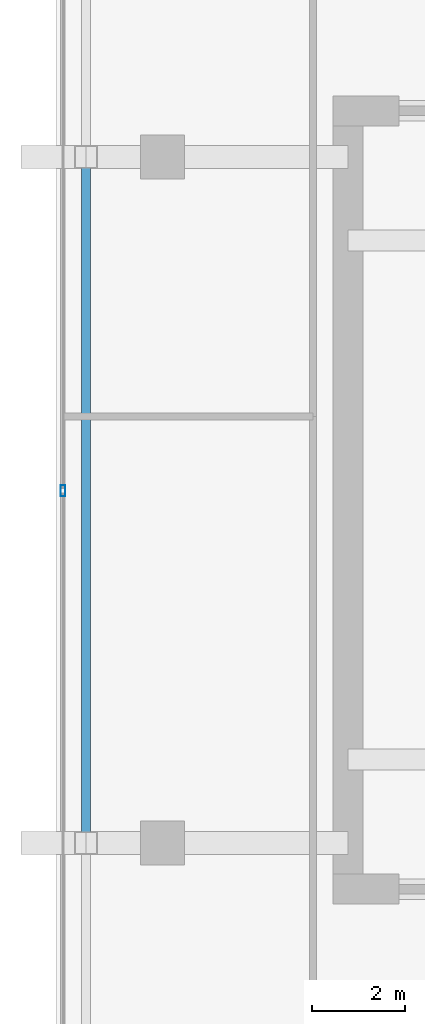
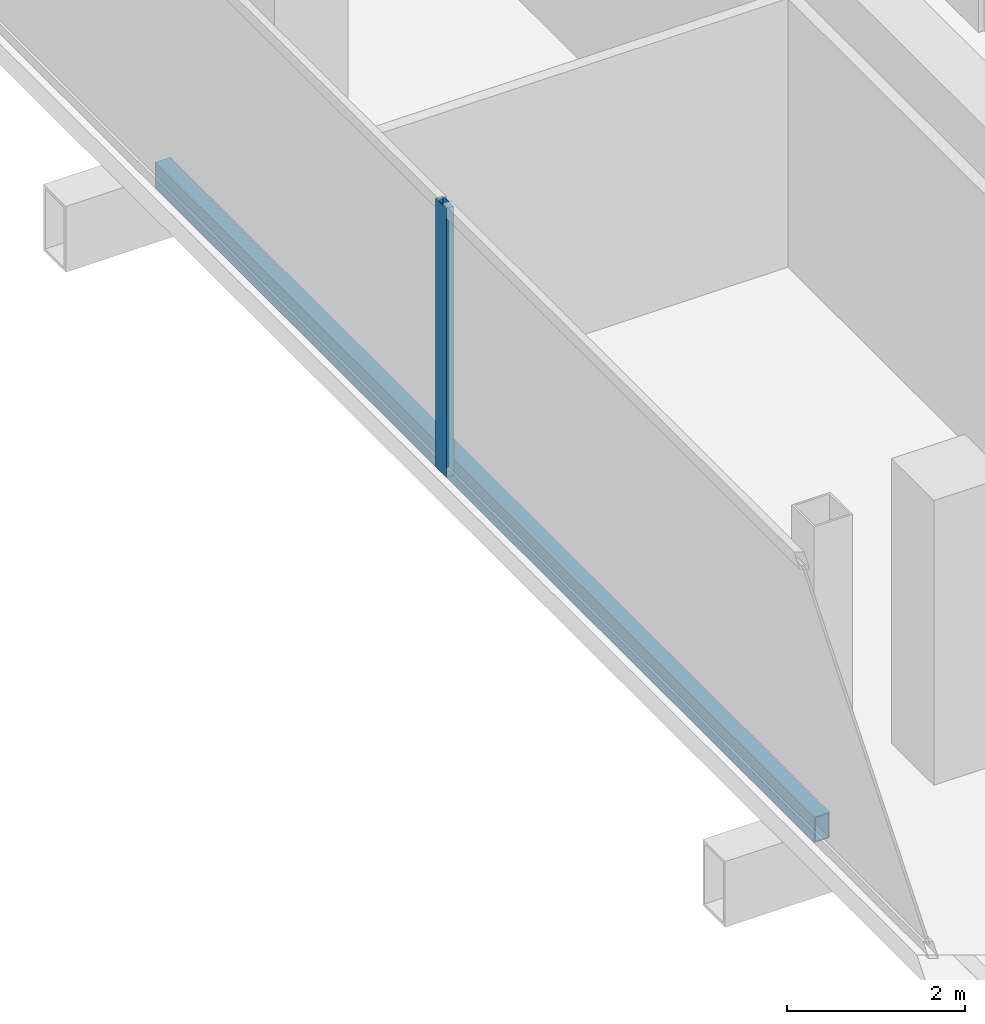
# One storey, part 6 of 25: 1 beam, 1 member, 1 element without a shape of its own.
"""IFC4 building model written with IfcOpenShell, lengths in metres."""

from ifc_helpers import new_model, si_unit, direction, frame, origin, origin_2d, place, context, subcontext, project, spatial, hollow_rectangle, extrude, material, layer, layer_set, material_profile, profile_set, type_object, element, aggregate, save


model = new_model("IFC4")

# Units and contexts
model_context = context("Model", 3, precision=1e-05, world=origin(), true_north=direction((0.0, 1.0)))
body_context = subcontext(model_context, "Body", "Model", "MODEL_VIEW")
ifc_project = project(units=[si_unit("LENGTHUNIT", "METRE"), si_unit("AREAUNIT", "SQUARE_METRE"), si_unit("VOLUMEUNIT", "CUBIC_METRE"), si_unit("PLANEANGLEUNIT", "RADIAN"), si_unit("MASSUNIT", "GRAM", prefix="KILO")], contexts=[model_context])

# Site, building, storey
site_placement = place(None, origin())
site = spatial("IfcSite", under=ifc_project, at=site_placement, CompositionType="ELEMENT")
building_placement = place(site_placement, origin())
building = spatial("IfcBuilding", under=site, at=building_placement, Name="Khorvyn Point Tower", CompositionType="ELEMENT")
storey_placement = place(building_placement, frame((0.0, 0.0, 254.699951171875)))
storey = spatial("IfcBuildingStorey", under=building, at=storey_placement, Name="L62", CompositionType="ELEMENT", Elevation=254.699951171875)

# Curtain wall, member
ifc_material_1 = material(Name="Anodised aluminium 6063-T6 and laminated Low-E glass", Category="aluminium")
ifc_layer = layer(ifc_material_1, 0.18994140625)
ifc_layer_set = layer_set([ifc_layer], Name="Stick-Built High-Wind Curtain Wall CW-SYS-04")
curtain_wall_type = type_object("IfcCurtainWallType", Name="Stick-Built High-Wind Curtain Wall CW-SYS-04", PredefinedType="NOTDEFINED", material=ifc_layer_set)
curtain_wall_placement = place(storey_placement, origin())
curtain_wall = element("IfcCurtainWall", 1, at=curtain_wall_placement, inside=storey, type_object=curtain_wall_type, Name="Curtain Wall", PredefinedType="NOTDEFINED")
ifc_material_2 = material(Name="Anodised aluminium 6063-T6", Category="aluminium")
ifc_material_profile_1 = material_profile(ifc_material_2, hollow_rectangle(XDim=0.10009765625, YDim=0.239990234375, WallThickness=0.0048828125, at=origin_2d()))
ifc_profile_set_1 = profile_set([ifc_material_profile_1], Name="Anodised aluminium 6063-T6 ALU-MUL-100x240")
member_type = type_object("IfcMemberType", Name="Anodised Aluminium 6063-T6 Mullion ALU-MUL-100x240", PredefinedType="MULLION", material=ifc_profile_set_1)
member_placement = place(storey_placement, frame((-16.949951171875, 0.199951171875, 0.0), z_axis=(0.0, 0.0, 1.0), x_axis=(-1.0, 0.0, 0.0)))
member = element("IfcMember", 2, at=member_placement, type_object=member_type, Name="Transom", PredefinedType="MULLION", context=body_context, shape_type="SweptSolid", body=[
    extrude(hollow_rectangle(XDim=0.10009765625, YDim=0.239990234375, WallThickness=0.0048828125, at=origin_2d()), origin(), (0.0, 0.0, 1.0), 3.679931640625),
])
aggregate(curtain_wall, [member])

# Beam
ifc_material_3 = material(Name="Steel S355", Category="steel")
ifc_material_profile_2 = material_profile(ifc_material_3, hollow_rectangle(XDim=0.199951171875, YDim=0.35009765625, WallThickness=0.013916015625, at=origin_2d()))
ifc_profile_set_2 = profile_set([ifc_material_profile_2], Name="Steel S355 RHS350x200x14")
beam_type = type_object("IfcBeamType", Name="Steel S355 Spandrel RHS350x200x14", PredefinedType="SPANDREL", material=ifc_profile_set_2)
beam_placement = place(storey_placement, frame((-16.449951171875, -7.39990234375, -0.454833984375), z_axis=(0.0, 1.0, 0.0), x_axis=(-1.0, 0.0, 0.0)))
element("IfcBeam", 3, at=beam_placement, inside=storey, type_object=beam_type, Name="Beam", PredefinedType="SPANDREL", context=body_context, shape_type="SweptSolid", body=[
    extrude(hollow_rectangle(XDim=0.199951171875, YDim=0.35009765625, WallThickness=0.013916015625, at=origin_2d()), origin(), (0.0, 0.0, 1.0), 14.7998046875),
])

save(model, "model.ifc")
